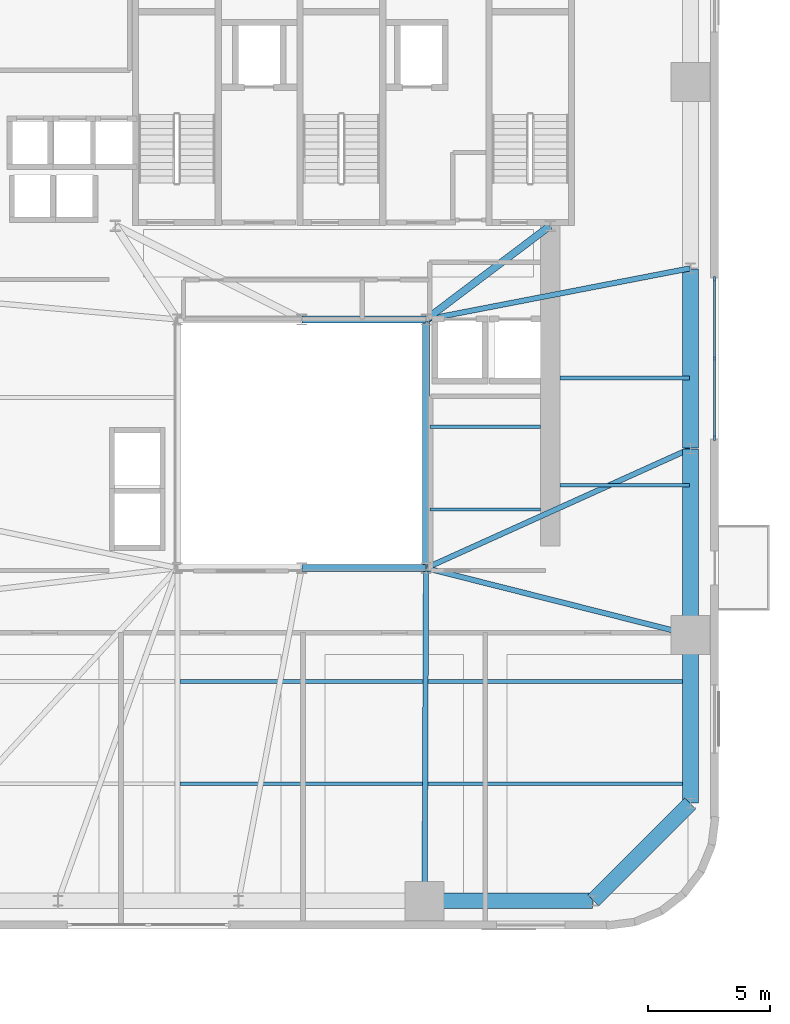
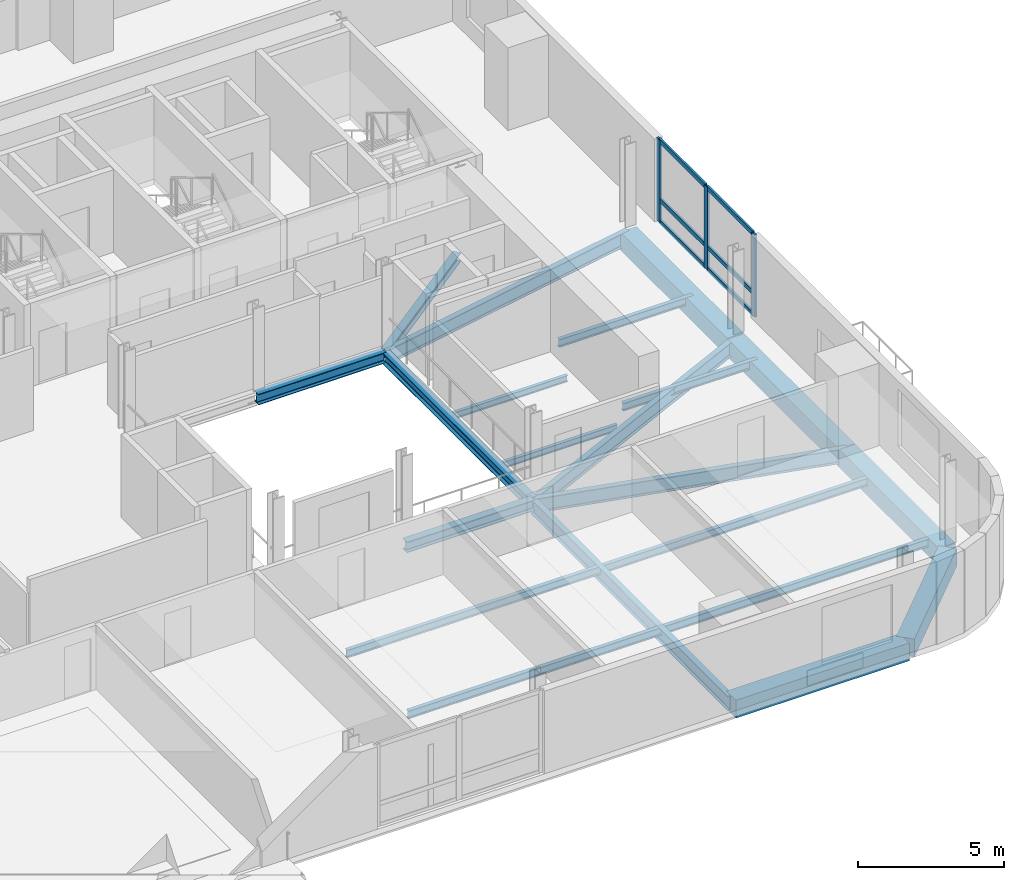
# One storey, part 3 of 12: 19 beams, 9 members, 1 element without a shape of its own.
"""IFC4 building model written with IfcOpenShell, lengths in metres."""

from ifc_helpers import new_model, si_unit, direction, frame, origin, origin_2d, place, context, subcontext, project, spatial, rectangle, i_section, extrude, source, transform, mapped, material, material_profile, profile_set, type_object, element, aggregate, save


model = new_model("IFC4")

# Units and contexts
model_context = context("Model", 3, precision=1e-05, world=origin(), true_north=direction((0.0, 1.0)))
body_context = subcontext(model_context, "Body", "Model", "MODEL_VIEW")
ifc_project = project(units=[si_unit("LENGTHUNIT", "METRE"), si_unit("AREAUNIT", "SQUARE_METRE"), si_unit("VOLUMEUNIT", "CUBIC_METRE"), si_unit("PLANEANGLEUNIT", "RADIAN"), si_unit("MASSUNIT", "GRAM", prefix="KILO")], contexts=[model_context])

# Site, building, storey
site_placement = place(None, origin())
site = spatial("IfcSite", under=ifc_project, at=site_placement, CompositionType="ELEMENT")
building_placement = place(site_placement, origin())
building = spatial("IfcBuilding", under=site, at=building_placement, Name="Vardaveli Station Tower", CompositionType="ELEMENT")
storey_placement = place(building_placement, frame((0.0, 0.0, 118.699951171875)))
storey = spatial("IfcBuildingStorey", under=building, at=storey_placement, Name="L30", CompositionType="ELEMENT", Elevation=118.699951171875)

# Beams
ifc_material_1 = material(Name="Structural steel S355J2", Category="steel")
ifc_material_profile_1 = material_profile(ifc_material_1, i_section(OverallWidth=0.300048828125, OverallDepth=0.449951171875, WebThickness=0.013916015625, FlangeThickness=0.02587890625, FilletRadius=0.027099609375, at=origin_2d()), Name="HEB 450")
ifc_profile_set_1 = profile_set([ifc_material_profile_1], Name="Structural steel S355J2")
beam_type_1 = type_object("IfcBeamType", Name="BM-HEB450", PredefinedType="BEAM", material=ifc_profile_set_1)
shared_shape_1 = source(origin(), body_context, "Body", "SweptSolid", [
    extrude(i_section(OverallWidth=0.300048828125, OverallDepth=0.449951171875, WebThickness=0.013916015625, FlangeThickness=0.02587890625, FilletRadius=0.027099609375, at=origin_2d()), origin(), (0.0, 0.0, 1.0), 5.059814453125),
])
for number, where, z_axis, x_axis, name in (
    (1, (36.320068359375, 16.60009765625, -0.46484375), (1.0, 0.0, 0.0), (0.0, 1.0, 0.0), "ABM-L30-02"),
    (2, (41.3798828125, 26.800048828125, -0.46484375), (-1.0, 0.0, 0.0), (0.0, -1.0, 0.0), "ABM-L30-04"),
):
    element("IfcBeam", number, at=place(storey_placement, frame(where, z_axis=z_axis, x_axis=x_axis)), inside=storey, type_object=beam_type_1, Name=name, PredefinedType="BEAM", context=body_context, shape_type="MappedRepresentation", body=[
        mapped(shared_shape_1, transform((0.0, 0.0, 0.0), scale=1.0)),
    ])
shared_shape_2 = source(origin(), body_context, "Body", "SweptSolid", [
    extrude(i_section(OverallWidth=0.300048828125, OverallDepth=0.449951171875, WebThickness=0.013916015625, FlangeThickness=0.02587890625, FilletRadius=0.027099609375, at=origin_2d()), origin(), (0.0, 0.0, 1.0), 10.159912109375),
])
beam_1_placement = place(storey_placement, frame((41.39990234375, 16.6201171875, -0.46484375), z_axis=(0.0, 1.0, 0.0), x_axis=(-1.0, 0.0, 0.0)))
element("IfcBeam", 3, at=beam_1_placement, inside=storey, type_object=beam_type_1, Name="ABM-L30-03", PredefinedType="BEAM", context=body_context, shape_type="MappedRepresentation", body=[
    mapped(shared_shape_2, transform((0.0, 0.0, 0.0), scale=1.0)),
])
ifc_material_profile_2 = material_profile(ifc_material_1, i_section(OverallWidth=0.300048828125, OverallDepth=0.360107421875, WebThickness=0.012451171875, FlangeThickness=0.0224609375, FilletRadius=0.027099609375, at=origin_2d()), Name="HEB 360")
ifc_profile_set_2 = profile_set([ifc_material_profile_2], Name="Structural steel S355J2")
beam_type_2 = type_object("IfcBeamType", Name="BM-HEB360", PredefinedType="BEAM", material=ifc_profile_set_2)
shared_shape_3 = source(origin(), body_context, "Body", "SweptSolid", [
    extrude(i_section(OverallWidth=0.300048828125, OverallDepth=0.360107421875, WebThickness=0.012451171875, FlangeThickness=0.0224609375, FilletRadius=0.027099609375, at=origin_2d()), origin(), (0.0, 0.0, 1.0), 6.35009765625),
])
beam_2_placement = place(storey_placement, frame((41.416015625, 26.81201171875, -0.419921875), z_axis=(0.798118337722, 0.602500721154, 0.0), x_axis=(-0.602500721154, 0.798118337722, 0.0)))
element("IfcBeam", 4, at=beam_2_placement, inside=storey, type_object=beam_type_2, Name="CBM-L30-02", PredefinedType="BEAM", context=body_context, shape_type="MappedRepresentation", body=[
    mapped(shared_shape_3, transform((0.0, 0.0, 0.0), scale=1.0)),
])
ifc_material_2 = material(Name="Precast concrete C45/55", Category="concrete")
ifc_material_profile_3 = material_profile(ifc_material_2, rectangle(XDim=0.64990234375, YDim=0.75, at=origin_2d()), Name="LPB 650x750")
ifc_profile_set_3 = profile_set([ifc_material_profile_3], Name="Precast concrete C45/55")
beam_type_3 = type_object("IfcBeamType", Name="BM-LPB-750", PredefinedType="BEAM", material=ifc_profile_set_3)
shared_shape_4 = source(origin(), body_context, "Body", "SweptSolid", [
    extrude(rectangle(XDim=0.64990234375, YDim=0.75, at=origin_2d()), origin(), (0.0, 0.0, 1.0), 7.60009765625),
])
beam_3_placement = place(storey_placement, frame((52.25, 13.8798828125, -0.614990234375), z_axis=(0.0, 1.0, 0.0), x_axis=(-1.0, 0.0, 0.0)))
element("IfcBeam", 5, at=beam_3_placement, inside=storey, type_object=beam_type_3, Name="RBM-L30-07", PredefinedType="BEAM", context=body_context, shape_type="MappedRepresentation", body=[
    mapped(shared_shape_4, transform((0.0, 0.0, 0.0), scale=1.0)),
])
shared_shape_5 = source(origin(), body_context, "Body", "SweptSolid", [
    extrude(rectangle(XDim=0.64990234375, YDim=0.75, at=origin_2d()), origin(), (0.0, 0.0, 1.0), 7.35986328125),
])
beam_4_placement = place(storey_placement, frame((52.25, 21.52001953125, -0.614990234375), z_axis=(0.0, 1.0, 0.0), x_axis=(-1.0, 0.0, 0.0)))
element("IfcBeam", 6, at=beam_4_placement, inside=storey, type_object=beam_type_3, Name="RBM-L30-08", PredefinedType="BEAM", context=body_context, shape_type="MappedRepresentation", body=[
    mapped(shared_shape_5, transform((0.0, 0.0, 0.0), scale=1.0)),
])
shared_shape_6 = source(origin(), body_context, "Body", "SweptSolid", [
    extrude(rectangle(XDim=0.64990234375, YDim=0.75, at=origin_2d()), origin(), (0.0, 0.0, 1.0), 6.869873046875),
])
beam_5_placement = place(storey_placement, frame((41.360107421875, 2.949951171875, -0.614990234375), z_axis=(1.0, 0.0, 0.0), x_axis=(0.0, 1.0, 0.0)))
element("IfcBeam", 7, at=beam_5_placement, inside=storey, type_object=beam_type_3, Name="RBM-L30-04", PredefinedType="BEAM", context=body_context, shape_type="MappedRepresentation", body=[
    mapped(shared_shape_6, transform((0.0, 0.0, 0.0), scale=1.0)),
])
shared_shape_7 = source(origin(), body_context, "Body", "SweptSolid", [
    extrude(rectangle(XDim=0.64990234375, YDim=0.75, at=origin_2d()), origin(), (0.0, 0.0, 1.0), 5.61669921875),
])
beam_6_placement = place(storey_placement, frame((48.26416015625, 2.964111328125, -0.614990234375), z_axis=(0.707106781187, 0.707106781187, 0.0), x_axis=(-0.707106781187, 0.707106781187, 0.0)))
element("IfcBeam", 8, at=beam_6_placement, inside=storey, type_object=beam_type_3, Name="RBM-L30-05", PredefinedType="BEAM", context=body_context, shape_type="MappedRepresentation", body=[
    mapped(shared_shape_7, transform((0.0, 0.0, 0.0), scale=1.0)),
])
shared_shape_8 = source(origin(), body_context, "Body", "SweptSolid", [
    extrude(rectangle(XDim=0.64990234375, YDim=0.75, at=origin_2d()), origin(), (0.0, 0.0, 1.0), 6.8701171875),
])
beam_7_placement = place(storey_placement, frame((52.25, 6.969970703125, -0.614990234375), z_axis=(0.0, 1.0, 0.0), x_axis=(-1.0, 0.0, 0.0)))
element("IfcBeam", 9, at=beam_7_placement, inside=storey, type_object=beam_type_3, Name="RBM-L30-06", PredefinedType="BEAM", context=body_context, shape_type="MappedRepresentation", body=[
    mapped(shared_shape_8, transform((0.0, 0.0, 0.0), scale=1.0)),
])
ifc_material_profile_4 = material_profile(ifc_material_1, i_section(OverallWidth=0.159912109375, OverallDepth=0.330078125, WebThickness=0.007568359375, FlangeThickness=0.011474609375, FilletRadius=0.01806640625, at=origin_2d()), Name="IPE 330")
ifc_profile_set_4 = profile_set([ifc_material_profile_4], Name="Structural steel S355J2")
beam_type_4 = type_object("IfcBeamType", Name="BM-IPE330", PredefinedType="JOIST", material=ifc_profile_set_4)
shared_shape_9 = source(origin(), body_context, "Body", "SweptSolid", [
    extrude(i_section(OverallWidth=0.159912109375, OverallDepth=0.330078125, WebThickness=0.007568359375, FlangeThickness=0.011474609375, FilletRadius=0.01806640625, at=origin_2d()), origin(), (0.0, 0.0, 1.0), 20.89794921875),
])
for number, where, z_axis, x_axis, name in (
    (10, (31.31201171875, 7.75, -0.405029296875), (1.0, 0.0, 0.0), (0.0, 1.0, 0.0), "SJ-L30-S02"),
    (11, (31.31201171875, 11.949951171875, -0.405029296875), (1.0, 0.0, 0.0), (0.0, 1.0, 0.0), "SJ-L30-S04"),
):
    element("IfcBeam", number, at=place(storey_placement, frame(where, z_axis=z_axis, x_axis=x_axis)), inside=storey, type_object=beam_type_4, Name=name, PredefinedType="JOIST", context=body_context, shape_type="MappedRepresentation", body=[
        mapped(shared_shape_9, transform((0.0, 0.0, 0.0), scale=1.0)),
    ])
shared_shape_10 = source(origin(), body_context, "Body", "SweptSolid", [
    extrude(i_section(OverallWidth=0.159912109375, OverallDepth=0.330078125, WebThickness=0.007568359375, FlangeThickness=0.011474609375, FilletRadius=0.01806640625, at=origin_2d()), origin(), (0.0, 0.0, 1.0), 5.304931640625),
])
for number, where, z_axis, x_axis, name in (
    (12, (46.905029296875, 20.0, -0.405029296875), (1.0, 0.0, 0.0), (0.0, 1.0, 0.0), "SJ-L30-E07"),
    (13, (46.905029296875, 24.39990234375, -0.405029296875), (1.0, 0.0, 0.0), (0.0, 1.0, 0.0), "SJ-L30-E08"),
):
    element("IfcBeam", number, at=place(storey_placement, frame(where, z_axis=z_axis, x_axis=x_axis)), inside=storey, type_object=beam_type_4, Name=name, PredefinedType="JOIST", context=body_context, shape_type="MappedRepresentation", body=[
        mapped(shared_shape_10, transform((0.0, 0.0, 0.0), scale=1.0)),
    ])
ifc_material_profile_5 = material_profile(ifc_material_1, i_section(OverallWidth=0.135009765625, OverallDepth=0.27001953125, WebThickness=0.006591796875, FlangeThickness=0.01025390625, FilletRadius=0.014892578125, at=origin_2d()), Name="IPE 270")
ifc_profile_set_5 = profile_set([ifc_material_profile_5], Name="Structural steel S355J2")
beam_type_5 = type_object("IfcBeamType", Name="BM-IPE270", PredefinedType="BEAM", material=ifc_profile_set_5)
shared_shape_11 = source(origin(), body_context, "Body", "SweptSolid", [
    extrude(i_section(OverallWidth=0.135009765625, OverallDepth=0.27001953125, WebThickness=0.006591796875, FlangeThickness=0.01025390625, FilletRadius=0.014892578125, at=origin_2d()), origin(), (0.0, 0.0, 1.0), 4.530029296875),
])
for number, where, z_axis, x_axis, name in (
    (14, (41.56494140625, 19.0, -0.375), (1.0, 0.0, 0.0), (0.0, 1.0, 0.0), "TJ-L30-01"),
    (15, (41.56494140625, 22.39990234375, -0.375), (1.0, 0.0, 0.0), (0.0, 1.0, 0.0), "TJ-L30-02"),
):
    element("IfcBeam", number, at=place(storey_placement, frame(where, z_axis=z_axis, x_axis=x_axis)), inside=storey, type_object=beam_type_5, Name=name, PredefinedType="BEAM", context=body_context, shape_type="MappedRepresentation", body=[
        mapped(shared_shape_11, transform((0.0, 0.0, 0.0), scale=1.0)),
    ])
ifc_material_profile_6 = material_profile(ifc_material_1, i_section(OverallWidth=0.219970703125, OverallDepth=0.60009765625, WebThickness=0.011962890625, FlangeThickness=0.01904296875, FilletRadius=0.02392578125, at=origin_2d()), Name="IPE 600")
ifc_profile_set_6 = profile_set([ifc_material_profile_6], Name="Structural steel S355J2")
beam_type_6 = type_object("IfcBeamType", Name="BM-IPE600", PredefinedType="BEAM", material=ifc_profile_set_6)
shared_shape_12 = source(origin(), body_context, "Body", "SweptSolid", [
    extrude(i_section(OverallWidth=0.219970703125, OverallDepth=0.60009765625, WebThickness=0.011962890625, FlangeThickness=0.01904296875, FilletRadius=0.02392578125, at=origin_2d()), origin(), (0.0, 0.0, 1.0), 13.6103515625),
])
beam_8_placement = place(storey_placement, frame((41.340087890625, 2.969970703125, -0.5400390625), z_axis=(0.004394812886, 0.999990342763, 0.0), x_axis=(-0.999990342763, 0.004394812886, 0.0)))
element("IfcBeam", 16, at=beam_8_placement, inside=storey, type_object=beam_type_6, Name="GBM-L30-04", PredefinedType="BEAM", context=body_context, shape_type="MappedRepresentation", body=[
    mapped(shared_shape_12, transform((0.0, 0.0, 0.0), scale=1.0)),
])
shared_shape_13 = source(origin(), body_context, "Body", "SweptSolid", [
    extrude(i_section(OverallWidth=0.219970703125, OverallDepth=0.60009765625, WebThickness=0.011962890625, FlangeThickness=0.01904296875, FilletRadius=0.02392578125, at=origin_2d()), origin(), (0.0, 0.0, 1.0), 11.150634765625),
])
beam_9_placement = place(storey_placement, frame((52.230712890625, 13.864990234375, -0.5400390625), z_axis=(-0.969561465826, 0.244848042642, 0.0), x_axis=(-0.244848042642, -0.969561465826, 0.0)))
element("IfcBeam", 17, at=beam_9_placement, inside=storey, type_object=beam_type_6, Name="GBM-L30-05", PredefinedType="BEAM", context=body_context, shape_type="MappedRepresentation", body=[
    mapped(shared_shape_13, transform((0.0, 0.0, 0.0), scale=1.0)),
])
shared_shape_14 = source(origin(), body_context, "Body", "SweptSolid", [
    extrude(i_section(OverallWidth=0.219970703125, OverallDepth=0.60009765625, WebThickness=0.011962890625, FlangeThickness=0.01904296875, FilletRadius=0.02392578125, at=origin_2d()), origin(), (0.0, 0.0, 1.0), 11.864990234375),
])
beam_10_placement = place(storey_placement, frame((52.231689453125, 21.49169921875, -0.5400390625), z_axis=(-0.911369354756, -0.411589478985, 0.0), x_axis=(0.411589478985, -0.911369354756, 0.0)))
element("IfcBeam", 18, at=beam_10_placement, inside=storey, type_object=beam_type_6, Name="GBM-L30-06", PredefinedType="BEAM", context=body_context, shape_type="MappedRepresentation", body=[
    mapped(shared_shape_14, transform((0.0, 0.0, 0.0), scale=1.0)),
])
shared_shape_15 = source(origin(), body_context, "Body", "SweptSolid", [
    extrude(i_section(OverallWidth=0.219970703125, OverallDepth=0.60009765625, WebThickness=0.011962890625, FlangeThickness=0.01904296875, FilletRadius=0.02392578125, at=origin_2d()), origin(), (0.0, 0.0, 1.0), 11.011474609375),
])
beam_11_placement = place(storey_placement, frame((52.23046875, 28.896240234375, -0.5400390625), z_axis=(-0.981777849093, -0.190032247343, 0.0), x_axis=(0.190032247343, -0.981777849093, 0.0)))
element("IfcBeam", 19, at=beam_11_placement, inside=storey, type_object=beam_type_6, Name="GBM-L30-07", PredefinedType="BEAM", context=body_context, shape_type="MappedRepresentation", body=[
    mapped(shared_shape_15, transform((0.0, 0.0, 0.0), scale=1.0)),
])

# Curtain wall, members
ifc_material_3 = material(Name="Travertine stone and solar-control glass", Category="masonry")
curtain_wall_type = type_object("IfcCurtainWallType", Name="CW-SYS-2", PredefinedType="NOTDEFINED", material=ifc_material_3)
curtain_wall_placement = place(storey_placement, origin())
curtain_wall = element("IfcCurtainWall", 20, at=curtain_wall_placement, inside=storey, type_object=curtain_wall_type, Name="CW-L30-E", PredefinedType="NOTDEFINED")
ifc_material_4 = material(Name="Anodised aluminium alloy 6063-T6", Category="aluminium")
ifc_material_profile_7 = material_profile(ifc_material_4, rectangle(XDim=0.0849609375, YDim=0.179931640625, at=origin_2d()), Name="CWT 85x180")
ifc_profile_set_7 = profile_set([ifc_material_profile_7], Name="Anodised aluminium alloy 6063-T6")
member_type_1 = type_object("IfcMemberType", Name="CW-SYS-2-TRAN", PredefinedType="NOTDEFINED", material=ifc_profile_set_7)
shared_shape_16 = source(origin(), body_context, "Body", "SweptSolid", [
    extrude(rectangle(XDim=0.0849609375, YDim=0.179931640625, at=origin_2d()), origin(), (0.0, 0.0, 1.0), 3.172607421875),
])
member_1_placement = place(storey_placement, frame((53.239990234375, 25.242431640625, 0.04248046875), z_axis=(0.0, 1.0, 0.0), x_axis=(-1.0, 0.0, 0.0)))
member_1 = element("IfcMember", 21, at=member_1_placement, type_object=member_type_1, Name="CW-2 transom 2.1", ObjectType="TRANSOM", PredefinedType="USERDEFINED", context=body_context, shape_type="MappedRepresentation", body=[
    mapped(shared_shape_16, transform((0.0, 0.0, 0.0), scale=1.0)),
])
member_2_placement = place(storey_placement, frame((53.239990234375, 25.242431640625, 0.949951171875), z_axis=(0.0, 1.0, 0.0), x_axis=(-1.0, 0.0, 0.0)))
member_2 = element("IfcMember", 22, at=member_2_placement, type_object=member_type_1, Name="CW-2 transom 2.2", ObjectType="TRANSOM", PredefinedType="USERDEFINED", context=body_context, shape_type="MappedRepresentation", body=[
    mapped(shared_shape_16, transform((0.0, 0.0, 0.0), scale=1.0)),
])
member_3_placement = place(storey_placement, frame((53.239990234375, 25.242431640625, 3.41748046875), z_axis=(0.0, 1.0, 0.0), x_axis=(-1.0, 0.0, 0.0)))
member_3 = element("IfcMember", 23, at=member_3_placement, type_object=member_type_1, Name="CW-2 transom 2.3", ObjectType="TRANSOM", PredefinedType="USERDEFINED", context=body_context, shape_type="MappedRepresentation", body=[
    mapped(shared_shape_16, transform((0.0, 0.0, 0.0), scale=1.0)),
])
shared_shape_17 = source(origin(), body_context, "Body", "SweptSolid", [
    extrude(rectangle(XDim=0.0849609375, YDim=0.179931640625, at=origin_2d()), origin(), (0.0, 0.0, 1.0), 3.17236328125),
])
member_4_placement = place(storey_placement, frame((53.239990234375, 21.985107421875, 0.04248046875), z_axis=(0.0, 1.0, 0.0), x_axis=(-1.0, 0.0, 0.0)))
member_4 = element("IfcMember", 24, at=member_4_placement, type_object=member_type_1, Name="CW-2 transom 1.1", ObjectType="TRANSOM", PredefinedType="USERDEFINED", context=body_context, shape_type="MappedRepresentation", body=[
    mapped(shared_shape_17, transform((0.0, 0.0, 0.0), scale=1.0)),
])
member_5_placement = place(storey_placement, frame((53.239990234375, 21.985107421875, 0.949951171875), z_axis=(0.0, 1.0, 0.0), x_axis=(-1.0, 0.0, 0.0)))
member_5 = element("IfcMember", 25, at=member_5_placement, type_object=member_type_1, Name="CW-2 transom 1.2", ObjectType="TRANSOM", PredefinedType="USERDEFINED", context=body_context, shape_type="MappedRepresentation", body=[
    mapped(shared_shape_17, transform((0.0, 0.0, 0.0), scale=1.0)),
])
member_6_placement = place(storey_placement, frame((53.239990234375, 21.985107421875, 3.41748046875), z_axis=(0.0, 1.0, 0.0), x_axis=(-1.0, 0.0, 0.0)))
member_6 = element("IfcMember", 26, at=member_6_placement, type_object=member_type_1, Name="CW-2 transom 1.3", ObjectType="TRANSOM", PredefinedType="USERDEFINED", context=body_context, shape_type="MappedRepresentation", body=[
    mapped(shared_shape_17, transform((0.0, 0.0, 0.0), scale=1.0)),
])
ifc_material_profile_8 = material_profile(ifc_material_4, rectangle(XDim=0.0849609375, YDim=0.219970703125, at=origin_2d()), Name="CWM 85x220")
ifc_profile_set_8 = profile_set([ifc_material_profile_8], Name="Anodised aluminium alloy 6063-T6")
member_type_2 = type_object("IfcMemberType", Name="CW-SYS-2-MULL", PredefinedType="MULLION", material=ifc_profile_set_8)
shared_shape_18 = source(origin(), body_context, "Body", "SweptSolid", [
    extrude(rectangle(XDim=0.0849609375, YDim=0.219970703125, at=origin_2d()), origin(), (0.0, 0.0, 1.0), 3.4599609375),
])
member_7_placement = place(storey_placement, frame((53.239990234375, 21.9423828125, 0.0), z_axis=(0.0, 0.0, 1.0), x_axis=(-1.0, 0.0, 0.0)))
member_7 = element("IfcMember", 27, at=member_7_placement, type_object=member_type_2, Name="CW-2 mullion 1", PredefinedType="MULLION", context=body_context, shape_type="MappedRepresentation", body=[
    mapped(shared_shape_18, transform((0.0, 0.0, 0.0), scale=1.0)),
])
member_8_placement = place(storey_placement, frame((53.239990234375, 25.199951171875, 0.0), z_axis=(0.0, 0.0, 1.0), x_axis=(-1.0, 0.0, 0.0)))
member_8 = element("IfcMember", 28, at=member_8_placement, type_object=member_type_2, Name="CW-2 mullion 2", PredefinedType="MULLION", context=body_context, shape_type="MappedRepresentation", body=[
    mapped(shared_shape_18, transform((0.0, 0.0, 0.0), scale=1.0)),
])
member_9_placement = place(storey_placement, frame((53.239990234375, 28.45751953125, 0.0), z_axis=(0.0, 0.0, 1.0), x_axis=(-1.0, 0.0, 0.0)))
member_9 = element("IfcMember", 29, at=member_9_placement, type_object=member_type_2, Name="CW-2 mullion 3", PredefinedType="MULLION", context=body_context, shape_type="MappedRepresentation", body=[
    mapped(shared_shape_18, transform((0.0, 0.0, 0.0), scale=1.0)),
])
aggregate(curtain_wall, [member_7, member_8, member_9, member_4, member_5, member_6, member_1, member_2, member_3])

save(model, "model.ifc")
